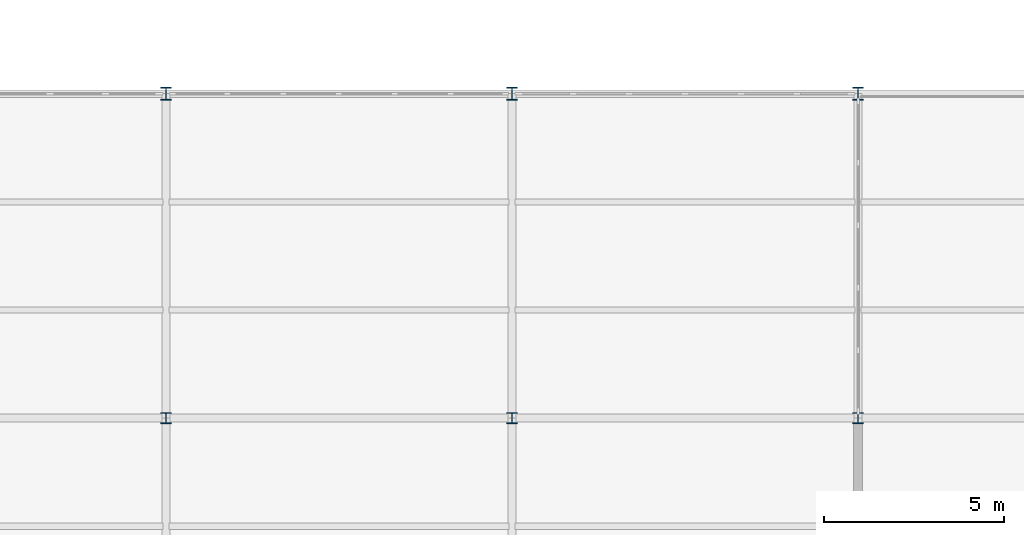
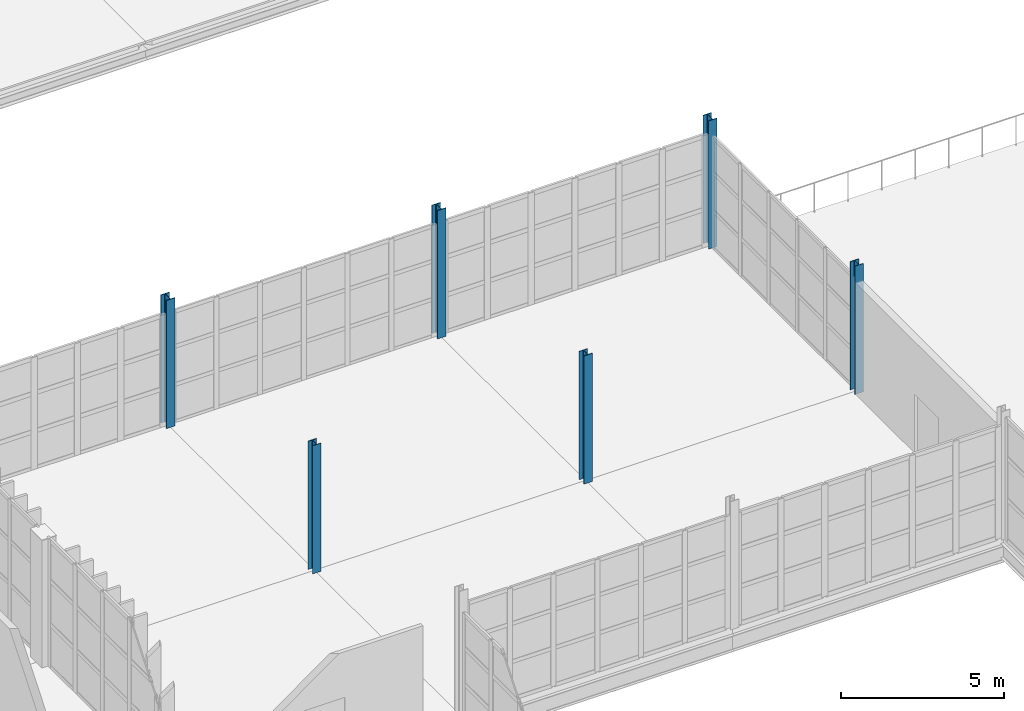
# One storey, part 14 of 120: 6 columns.
"""IFC4 building model written with IfcOpenShell, lengths in metres."""

from ifc_helpers import new_model, si_unit, direction, frame, origin, origin_2d, place, context, subcontext, project, spatial, i_section, extrude, material, material_profile, profile_set, type_object, element, save


model = new_model("IFC4")

# Units and contexts
model_context = context("Model", 3, precision=1e-05, world=origin(), true_north=direction((0.0, 1.0)))
body_context = subcontext(model_context, "Body", "Model", "MODEL_VIEW")
ifc_project = project(units=[si_unit("LENGTHUNIT", "METRE"), si_unit("AREAUNIT", "SQUARE_METRE"), si_unit("VOLUMEUNIT", "CUBIC_METRE"), si_unit("PLANEANGLEUNIT", "RADIAN"), si_unit("MASSUNIT", "GRAM", prefix="KILO")], contexts=[model_context])

# Site, building, storey
site_placement = place(None, origin())
site = spatial("IfcSite", under=ifc_project, at=site_placement, CompositionType="ELEMENT")
building_placement = place(site_placement, origin())
building = spatial("IfcBuilding", under=site, at=building_placement, Name="Zarnetskaya Central Station", CompositionType="ELEMENT")
storey_placement = place(building_placement, frame((0.0, 0.0, 5.39990234375)))
storey = spatial("IfcBuildingStorey", under=building, at=storey_placement, Name="L01", CompositionType="ELEMENT", Elevation=5.39990234375)

# Columns
ifc_material = material(Name="Steel S355", Category="steel")
ifc_material_profile_1 = material_profile(ifc_material, i_section(OverallWidth=0.300048828125, OverallDepth=0.360107421875, WebThickness=0.012451171875, FlangeThickness=0.0224609375, FilletRadius=0.027099609375, at=origin_2d()), Name="HEB 360")
ifc_profile_set_1 = profile_set([ifc_material_profile_1], Name="Steel S355")
column_type_1 = type_object("IfcColumnType", Name="COL-V4-EXT", PredefinedType="COLUMN", material=ifc_profile_set_1)
for number, where, z_axis, x_axis, name in (
    (1, (134.39990234375, 49.199951171875, 0.0), (0.0, 0.0, 1.0), (1.0, 0.0, 0.0), "Column Q7 L01"),
    (2, (144.0, 49.199951171875, 0.0), (0.0, 0.0, 1.0), (1.0, 0.0, 0.0), "Column R7 L01"),
    (3, (153.60009765625, 49.199951171875, 0.0), (0.0, 0.0, 1.0), (1.0, 0.0, 0.0), "Column S7 L01"),
):
    element("IfcColumn", number, at=place(storey_placement, frame(where, z_axis=z_axis, x_axis=x_axis)), inside=storey, type_object=column_type_1, Name=name, PredefinedType="COLUMN", context=body_context, shape_type="SweptSolid", body=[
        extrude(i_section(OverallWidth=0.300048828125, OverallDepth=0.360107421875, WebThickness=0.012451171875, FlangeThickness=0.0224609375, FilletRadius=0.027099609375, at=origin_2d()), origin(), (0.0, 0.0, 1.0), 4.800048828125),
    ])
ifc_material_profile_2 = material_profile(ifc_material, i_section(OverallWidth=0.300048828125, OverallDepth=0.300048828125, WebThickness=0.010986328125, FlangeThickness=0.01904296875, FilletRadius=0.027099609375, at=origin_2d()), Name="HEB 300")
ifc_profile_set_2 = profile_set([ifc_material_profile_2], Name="Steel S355")
column_type_2 = type_object("IfcColumnType", Name="COL-V4-INT", PredefinedType="COLUMN", material=ifc_profile_set_2)
for number, where, z_axis, x_axis, name in (
    (4, (134.39990234375, 40.199951171875, 0.0), (0.0, 0.0, 1.0), (1.0, 0.0, 0.0), "Column Q6 L01"),
    (5, (144.0, 40.199951171875, 0.0), (0.0, 0.0, 1.0), (1.0, 0.0, 0.0), "Column R6 L01"),
    (6, (153.60009765625, 40.199951171875, 0.0), (0.0, 0.0, 1.0), (1.0, 0.0, 0.0), "Column S6 L01"),
):
    element("IfcColumn", number, at=place(storey_placement, frame(where, z_axis=z_axis, x_axis=x_axis)), inside=storey, type_object=column_type_2, Name=name, PredefinedType="COLUMN", context=body_context, shape_type="SweptSolid", body=[
        extrude(i_section(OverallWidth=0.300048828125, OverallDepth=0.300048828125, WebThickness=0.010986328125, FlangeThickness=0.01904296875, FilletRadius=0.027099609375, at=origin_2d()), origin(), (0.0, 0.0, 1.0), 4.800048828125),
    ])

save(model, "model.ifc")
